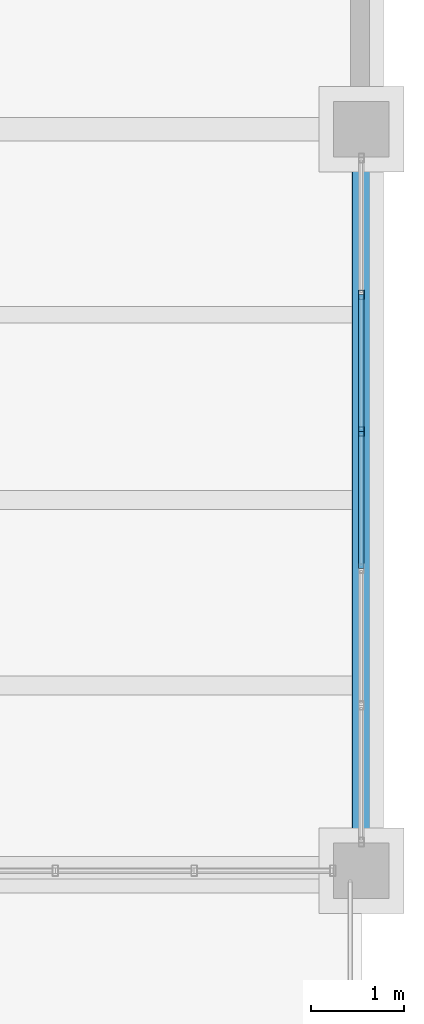
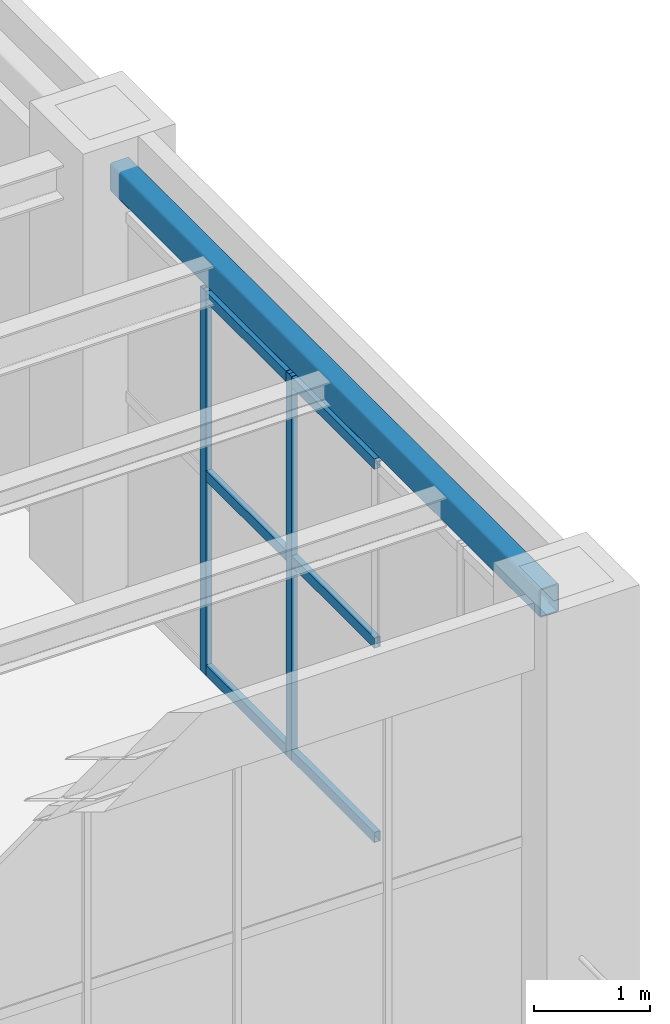
# One storey, part 38 of 83: 8 members, 1 beam, 1 element without a shape of its own.
"""IFC4 building model written with IfcOpenShell, lengths in metres."""

from ifc_helpers import new_model, si_unit, direction, frame, origin, origin_2d, place, context, subcontext, project, spatial, hollow_rectangle, extrude, material, material_profile, profile_set, type_object, element, aggregate, save


model = new_model("IFC4")

# Units and contexts
model_context = context("Model", 3, precision=1e-05, world=origin(), true_north=direction((0.0, 1.0)))
body_context = subcontext(model_context, "Body", "Model", "MODEL_VIEW")
ifc_project = project(units=[si_unit("LENGTHUNIT", "METRE"), si_unit("AREAUNIT", "SQUARE_METRE"), si_unit("VOLUMEUNIT", "CUBIC_METRE"), si_unit("PLANEANGLEUNIT", "RADIAN"), si_unit("MASSUNIT", "GRAM", prefix="KILO")], contexts=[model_context])

# Site, building, storey
site_placement = place(None, origin())
site = spatial("IfcSite", under=ifc_project, at=site_placement, CompositionType="ELEMENT")
building_placement = place(site_placement, origin())
building = spatial("IfcBuilding", under=site, at=building_placement, Name="Mavantir Sound Aquarium", CompositionType="ELEMENT")
storey_placement = place(building_placement, frame((0.0, 0.0, 10.5)))
storey = spatial("IfcBuildingStorey", under=building, at=storey_placement, Name="L02", CompositionType="ELEMENT", Elevation=10.5)

# Beam
ifc_material_1 = material(Name="Hollow Structural Steel ASTM A500 GrC", Category="steel")
ifc_material_profile_1 = material_profile(ifc_material_1, hollow_rectangle(XDim=0.199951171875, YDim=0.300048828125, WallThickness=0.012451171875, InnerFilletRadius=0.012451171875, OuterFilletRadius=0.02490234375, at=origin_2d()), Name="RHS 300X200X12.5")
ifc_profile_set_1 = profile_set([ifc_material_profile_1], Name="Hollow Structural Steel ASTM A500 GrC")
beam_type = type_object("IfcBeamType", Name="BM-RHS300-E", PredefinedType="SPANDREL", material=ifc_profile_set_1)
beam_placement = place(storey_placement, frame((175.199951171875, 41.10009765625, 4.3359375), z_axis=(0.0, 1.0, 0.0), x_axis=(-1.0, 0.0, 0.0)))
element("IfcBeam", 1, at=beam_placement, inside=storey, type_object=beam_type, Name="L02 primary girder SS-R30 1600", PredefinedType="SPANDREL", context=body_context, shape_type="SweptSolid", body=[
    extrude(hollow_rectangle(XDim=0.199951171875, YDim=0.300048828125, WallThickness=0.012451171875, InnerFilletRadius=0.012451171875, OuterFilletRadius=0.02490234375, at=origin_2d()), origin(), (0.0, 0.0, 1.0), 7.39990234375),
])

# Curtain wall, members
ifc_material_2 = material(Name="Anodised Marine Aluminium and Low-E Glass", Category="aluminium")
curtain_wall_type = type_object("IfcCurtainWallType", Name="CW-T19", PredefinedType="USERDEFINED", material=ifc_material_2)
curtain_wall_placement = place(storey_placement, origin())
curtain_wall = element("IfcCurtainWall", 2, at=curtain_wall_placement, inside=storey, type_object=curtain_wall_type, Name="L02 unitised curtain wall CW-19 139", ObjectType="UNITISED GLAZING", PredefinedType="USERDEFINED")
ifc_material_3 = material(Name="Anodised Marine Aluminium 6063-T6", Category="aluminium")
ifc_material_profile_2 = material_profile(ifc_material_3, hollow_rectangle(XDim=0.06005859375, YDim=0.10009765625, WallThickness=0.00390625, at=origin_2d()), Name="ALU-MULLION-100X60")
ifc_profile_set_2 = profile_set([ifc_material_profile_2], Name="Anodised Marine Aluminium 6063-T6")
member_type_1 = type_object("IfcMemberType", Name="CW-MUL-100", PredefinedType="MULLION", material=ifc_profile_set_2)
member_1_placement = place(storey_placement, frame((175.199951171875, 45.538330078125, 0.0), z_axis=(0.0, 0.0, 1.0), x_axis=(1.0, 0.0, 0.0)))
member_1 = element("IfcMember", 3, at=member_1_placement, type_object=member_type_1, Name="CW-L02-139 vertical mullion 4", PredefinedType="MULLION", context=body_context, shape_type="SweptSolid", body=[
    extrude(hollow_rectangle(XDim=0.06005859375, YDim=0.10009765625, WallThickness=0.00390625, at=origin_2d()), origin(), (0.0, 0.0, 1.0), 4.0390625),
])
member_2_placement = place(storey_placement, frame((175.199951171875, 47.01513671875, 0.0), z_axis=(0.0, 0.0, 1.0), x_axis=(1.0, 0.0, 0.0)))
member_2 = element("IfcMember", 4, at=member_2_placement, type_object=member_type_1, Name="CW-L02-139 vertical mullion 5", PredefinedType="MULLION", context=body_context, shape_type="SweptSolid", body=[
    extrude(hollow_rectangle(XDim=0.06005859375, YDim=0.10009765625, WallThickness=0.00390625, at=origin_2d()), origin(), (0.0, 0.0, 1.0), 4.0390625),
])
ifc_material_profile_3 = material_profile(ifc_material_3, hollow_rectangle(XDim=0.06005859375, YDim=0.110107421875, WallThickness=0.00390625, at=origin_2d()), Name="ALU-TRANSOM-110X60")
ifc_profile_set_3 = profile_set([ifc_material_profile_3], Name="Anodised Marine Aluminium 6063-T6")
member_type_2 = type_object("IfcMemberType", Name="CW-TRN-110", PredefinedType="USERDEFINED", material=ifc_profile_set_3)
member_3_placement = place(storey_placement, frame((175.199951171875, 44.0615234375, 0.054931640625), z_axis=(0.0, 1.0, 0.0), x_axis=(-1.0, 0.0, 0.0)))
member_3 = element("IfcMember", 5, at=member_3_placement, type_object=member_type_2, Name="CW-L02-139 transom 3.1", ObjectType="TRANSOM", PredefinedType="USERDEFINED", context=body_context, shape_type="SweptSolid", body=[
    extrude(hollow_rectangle(XDim=0.06005859375, YDim=0.110107421875, WallThickness=0.00390625, at=origin_2d()), origin(), (0.0, 0.0, 1.0), 1.476806640625),
])
member_4_placement = place(storey_placement, frame((175.199951171875, 44.0615234375, 2.100341796875), z_axis=(0.0, 1.0, 0.0), x_axis=(-1.0, 0.0, 0.0)))
member_4 = element("IfcMember", 6, at=member_4_placement, type_object=member_type_2, Name="CW-L02-139 transom 3.2", ObjectType="TRANSOM", PredefinedType="USERDEFINED", context=body_context, shape_type="SweptSolid", body=[
    extrude(hollow_rectangle(XDim=0.06005859375, YDim=0.110107421875, WallThickness=0.00390625, at=origin_2d()), origin(), (0.0, 0.0, 1.0), 1.476806640625),
])
member_5_placement = place(storey_placement, frame((175.199951171875, 44.0615234375, 3.98388671875), z_axis=(0.0, 1.0, 0.0), x_axis=(-1.0, 0.0, 0.0)))
member_5 = element("IfcMember", 7, at=member_5_placement, type_object=member_type_2, Name="CW-L02-139 transom 3.3", ObjectType="TRANSOM", PredefinedType="USERDEFINED", context=body_context, shape_type="SweptSolid", body=[
    extrude(hollow_rectangle(XDim=0.06005859375, YDim=0.110107421875, WallThickness=0.00390625, at=origin_2d()), origin(), (0.0, 0.0, 1.0), 1.476806640625),
])
member_6_placement = place(storey_placement, frame((175.199951171875, 45.538330078125, 0.054931640625), z_axis=(0.0, 1.0, 0.0), x_axis=(-1.0, 0.0, 0.0)))
member_6 = element("IfcMember", 8, at=member_6_placement, type_object=member_type_2, Name="CW-L02-139 transom 4.1", ObjectType="TRANSOM", PredefinedType="USERDEFINED", context=body_context, shape_type="SweptSolid", body=[
    extrude(hollow_rectangle(XDim=0.06005859375, YDim=0.110107421875, WallThickness=0.00390625, at=origin_2d()), origin(), (0.0, 0.0, 1.0), 1.476806640625),
])
member_7_placement = place(storey_placement, frame((175.199951171875, 45.538330078125, 2.100341796875), z_axis=(0.0, 1.0, 0.0), x_axis=(-1.0, 0.0, 0.0)))
member_7 = element("IfcMember", 9, at=member_7_placement, type_object=member_type_2, Name="CW-L02-139 transom 4.2", ObjectType="TRANSOM", PredefinedType="USERDEFINED", context=body_context, shape_type="SweptSolid", body=[
    extrude(hollow_rectangle(XDim=0.06005859375, YDim=0.110107421875, WallThickness=0.00390625, at=origin_2d()), origin(), (0.0, 0.0, 1.0), 1.476806640625),
])
member_8_placement = place(storey_placement, frame((175.199951171875, 45.538330078125, 3.98388671875), z_axis=(0.0, 1.0, 0.0), x_axis=(-1.0, 0.0, 0.0)))
member_8 = element("IfcMember", 10, at=member_8_placement, type_object=member_type_2, Name="CW-L02-139 transom 4.3", ObjectType="TRANSOM", PredefinedType="USERDEFINED", context=body_context, shape_type="SweptSolid", body=[
    extrude(hollow_rectangle(XDim=0.06005859375, YDim=0.110107421875, WallThickness=0.00390625, at=origin_2d()), origin(), (0.0, 0.0, 1.0), 1.476806640625),
])
aggregate(curtain_wall, [member_1, member_2, member_3, member_4, member_5, member_6, member_7, member_8])

save(model, "model.ifc")
